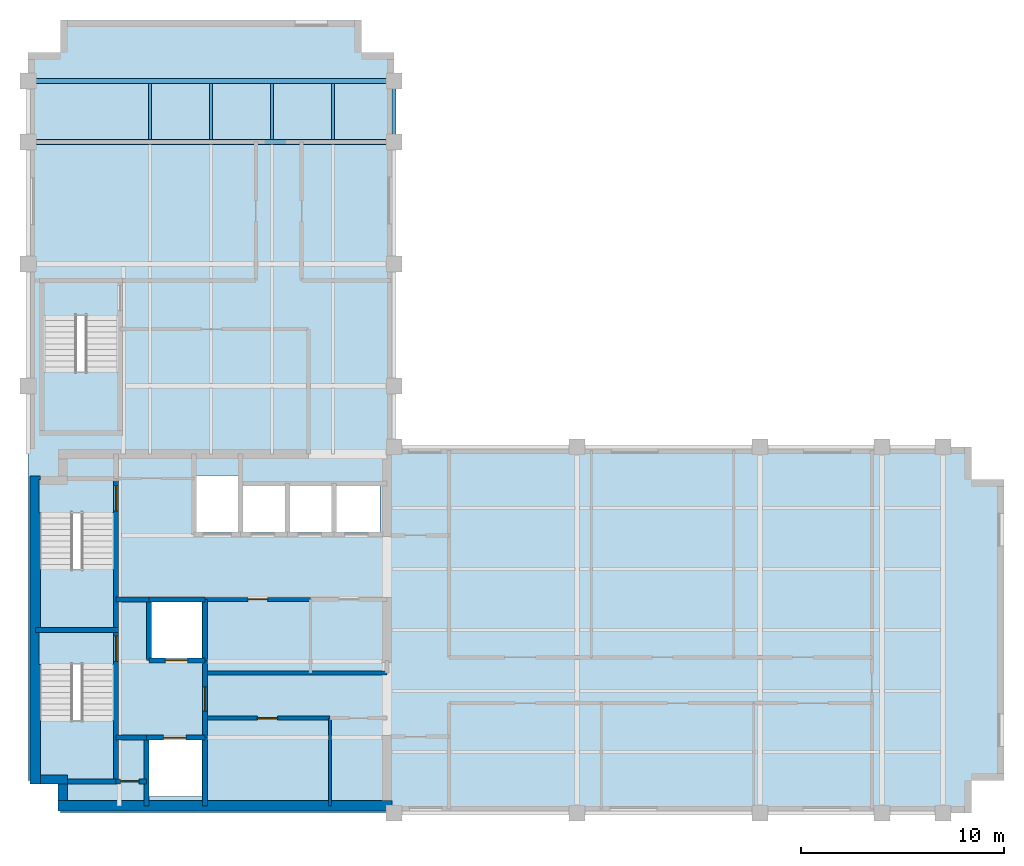
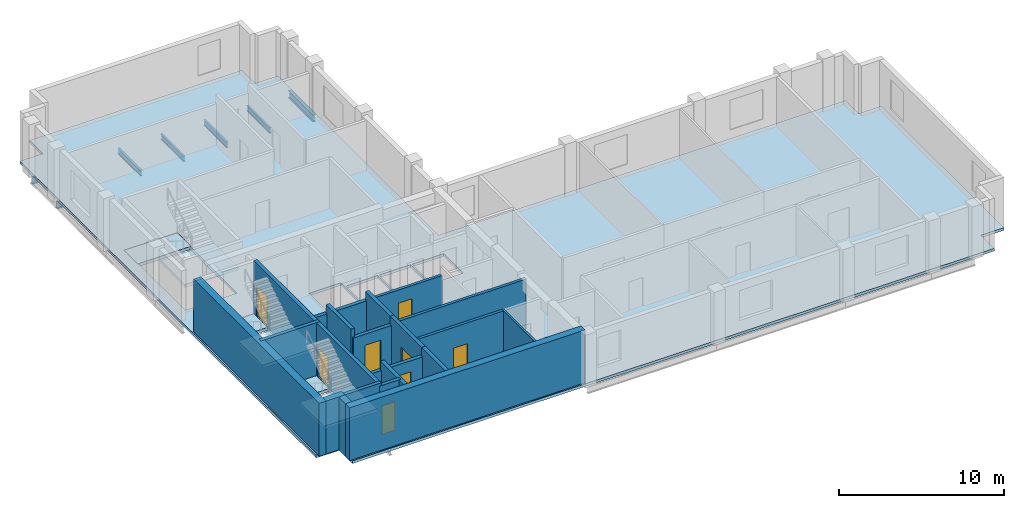
# One storey, part 2 of 6: 23 walls, 8 doors, 7 beams, 7 slabs, 8 openings, 3 elements without a shape of their own.
"""IFC4 building model written with IfcOpenShell, lengths in metres."""

from ifc_helpers import new_model, si_unit, direction, frame, frame_2d, origin, origin_2d, place, context, subcontext, project, spatial, polyline, rectangle, i_section, outline, extrude, material, layer, layer_set, material_profile, profile_set, type_object, element, fill, aggregate, save


model = new_model("IFC4")

# Units and contexts
model_context = context("Model", 3, precision=1e-05, world=origin(), true_north=direction((0.0, 1.0)))
body_context = subcontext(model_context, "Body", "Model", "MODEL_VIEW")
ifc_project = project(units=[si_unit("LENGTHUNIT", "METRE"), si_unit("AREAUNIT", "SQUARE_METRE"), si_unit("VOLUMEUNIT", "CUBIC_METRE"), si_unit("PLANEANGLEUNIT", "RADIAN"), si_unit("MASSUNIT", "GRAM", prefix="KILO")], contexts=[model_context])

# Site, building, storey
site_placement = place(None, origin())
site = spatial("IfcSite", under=ifc_project, at=site_placement, CompositionType="ELEMENT")
building_placement = place(site_placement, origin())
building = spatial("IfcBuilding", under=site, at=building_placement, Name="Mawjdan Bourse Tower", CompositionType="ELEMENT")
storey_placement = place(building_placement, frame((0.0, 0.0, 239.10009765625)))
storey = spatial("IfcBuildingStorey", under=building, at=storey_placement, Name="L58", CompositionType="ELEMENT", Elevation=239.10009765625)

# Beams
ifc_material_1 = material(Name="Structural Steel S355", Category="steel")
ifc_material_profile_1 = material_profile(ifc_material_1, i_section(OverallWidth=0.22998046875, OverallDepth=0.616943359375, WebThickness=0.01318359375, FlangeThickness=0.022216796875, FilletRadius=0.017822265625, at=origin_2d()), Name="W24X94")
ifc_profile_set_1 = profile_set([ifc_material_profile_1], Name="Structural Steel S355")
beam_type_1 = type_object("IfcBeamType", Name="GRD-W24X94", PredefinedType="BEAM", material=ifc_profile_set_1)
for number, where, z_axis, x_axis, name in (
    (1, (6.0, 36.0, -0.508544921875), (1.0, 0.0, 0.0), (0.0, 1.0, 0.0), "L58 North Wing Clear-Span Girder 041"),
    (2, (6.0, 39.0, -0.508544921875), (1.0, 0.0, 0.0), (0.0, 1.0, 0.0), "L58 North Wing Clear-Span Girder 042"),
):
    element("IfcBeam", number, at=place(storey_placement, frame(where, z_axis=z_axis, x_axis=x_axis)), inside=storey, type_object=beam_type_1, Name=name, PredefinedType="BEAM", context=body_context, shape_type="SweptSolid", body=[
        extrude(i_section(OverallWidth=0.22998046875, OverallDepth=0.616943359375, WebThickness=0.01318359375, FlangeThickness=0.022216796875, FilletRadius=0.017822265625, at=origin_2d()), origin(), (0.0, 0.0, 1.0), 18.0),
    ])
ifc_material_profile_2 = material_profile(ifc_material_1, i_section(OverallWidth=0.139892578125, OverallDepth=0.404052734375, WebThickness=0.007080078125, FlangeThickness=0.01123046875, FilletRadius=0.009033203125, at=origin_2d()), Name="W16X31")
ifc_profile_set_2 = profile_set([ifc_material_profile_2], Name="Structural Steel S355")
beam_type_2 = type_object("IfcBeamType", Name="JST-W16X31", PredefinedType="JOIST", material=ifc_profile_set_2)
for number, where, z_axis, x_axis, name in (
    (3, (12.0, 36.113037109375, -0.402099609375), (0.0, 1.0, 0.0), (-1.0, 0.0, 0.0), "L58 North Wing Composite Joist 054"),
    (4, (15.0, 36.113037109375, -0.402099609375), (0.0, 1.0, 0.0), (-1.0, 0.0, 0.0), "L58 North Wing Composite Joist 058"),
    (5, (18.0, 36.113037109375, -0.402099609375), (0.0, 1.0, 0.0), (-1.0, 0.0, 0.0), "L58 North Wing Composite Joist 062"),
    (6, (21.0, 36.113037109375, -0.402099609375), (0.0, 1.0, 0.0), (-1.0, 0.0, 0.0), "L58 North Wing Composite Joist 066"),
):
    element("IfcBeam", number, at=place(storey_placement, frame(where, z_axis=z_axis, x_axis=x_axis)), inside=storey, type_object=beam_type_2, Name=name, PredefinedType="JOIST", context=body_context, shape_type="SweptSolid", body=[
        extrude(i_section(OverallWidth=0.139892578125, OverallDepth=0.404052734375, WebThickness=0.007080078125, FlangeThickness=0.01123046875, FilletRadius=0.009033203125, at=origin_2d()), origin(), (0.0, 0.0, 1.0), 2.77392578125),
    ])
ifc_material_profile_3 = material_profile(ifc_material_1, i_section(OverallWidth=0.2099609375, OverallDepth=0.537109375, WebThickness=0.010986328125, FlangeThickness=0.017333984375, FilletRadius=0.013916015625, at=origin_2d()), Name="W21X68")
ifc_profile_set_3 = profile_set([ifc_material_profile_3], Name="Structural Steel S355")
beam_type_3 = type_object("IfcBeamType", Name="SPN-W21X68", PredefinedType="SPANDREL", material=ifc_profile_set_3)
beam_placement = place(storey_placement, frame((24.0, 36.0, -0.468505859375), z_axis=(0.0, 1.0, 0.0), x_axis=(-1.0, 0.0, 0.0)))
element("IfcBeam", 7, at=beam_placement, inside=storey, type_object=beam_type_3, Name="L58 North Wing Spandrel 050", PredefinedType="SPANDREL", context=body_context, shape_type="SweptSolid", body=[
    extrude(i_section(OverallWidth=0.2099609375, OverallDepth=0.537109375, WebThickness=0.010986328125, FlangeThickness=0.017333984375, FilletRadius=0.013916015625, at=origin_2d()), origin(), (0.0, 0.0, 1.0), 3.0),
])

# Stair, slabs
ifc_material_2 = material(Name="Concrete C50/60", Category="concrete")
stair_type = type_object("IfcStairType", Name="STR-CORE-1500", PredefinedType="HALF_TURN_STAIR", material=ifc_material_2)
stair_1_placement = place(storey_placement, origin())
stair_1 = element("IfcStair", 8, at=stair_1_placement, inside=storey, type_object=stair_type, Name="L58 Exit Stair 1 (Core South-West)", PredefinedType="HALF_TURN_STAIR")
ifc_layer_1 = layer(ifc_material_2, 0.22998046875)
ifc_layer_set_1 = layer_set([ifc_layer_1], Name="Concrete C50/60")
slab_type_1 = type_object("IfcSlabType", Name="SL-LND-230", PredefinedType="LANDING", material=ifc_layer_set_1)
slab_1_placement = place(storey_placement, frame((0.0, 0.0, -0.22998046875)))
slab_1 = element("IfcSlab", 9, at=slab_1_placement, type_object=slab_type_1, Name="ST1-L58 landing 1", PredefinedType="LANDING", context=body_context, shape_type="SweptSolid", body=[
    extrude(outline(polyline([(6.5400390625, 10.31005859375), (10.260009765625, 10.31005859375), (10.260009765625, 11.969970703125), (6.5400390625, 11.969970703125), (6.5400390625, 10.31005859375)])), origin(), (0.0, 0.0, 1.0), 0.22998046875),
])
slab_2_placement = place(storey_placement, frame((0.0, 0.0, 1.719970703125)))
slab_2 = element("IfcSlab", 10, at=slab_2_placement, type_object=slab_type_1, Name="ST1-L58 landing 2", PredefinedType="LANDING", context=body_context, shape_type="SweptSolid", body=[
    extrude(outline(polyline([(6.5400390625, 4.590087890625), (10.260009765625, 4.590087890625), (10.260009765625, 7.5400390625), (6.5400390625, 7.5400390625), (6.5400390625, 4.590087890625)])), origin(), (0.0, 0.0, 1.0), 0.22998046875),
])
aggregate(stair_1, [slab_1, slab_2])

stair_2_placement = place(storey_placement, origin())
stair_2 = element("IfcStair", 11, at=stair_2_placement, inside=storey, type_object=stair_type, Name="L58 Exit Stair 2 (Core North-West)", PredefinedType="HALF_TURN_STAIR")
slab_3_placement = place(storey_placement, frame((0.0, 0.0, -0.22998046875)))
slab_3 = element("IfcSlab", 12, at=slab_3_placement, type_object=slab_type_1, Name="ST2-L58 landing 1", PredefinedType="LANDING", context=body_context, shape_type="SweptSolid", body=[
    extrude(outline(polyline([(6.5400390625, 17.75), (10.260009765625, 17.75), (10.260009765625, 19.409912109375), (6.5400390625, 19.409912109375), (6.5400390625, 17.75)])), origin(), (0.0, 0.0, 1.0), 0.22998046875),
])
slab_4_placement = place(storey_placement, frame((0.0, 0.0, 1.719970703125)))
slab_4 = element("IfcSlab", 13, at=slab_4_placement, type_object=slab_type_1, Name="ST2-L58 landing 2", PredefinedType="LANDING", context=body_context, shape_type="SweptSolid", body=[
    extrude(outline(polyline([(6.5400390625, 12.030029296875), (10.260009765625, 12.030029296875), (10.260009765625, 14.97998046875), (6.5400390625, 14.97998046875), (6.5400390625, 12.030029296875)])), origin(), (0.0, 0.0, 1.0), 0.22998046875),
])
aggregate(stair_2, [slab_3, slab_4])

stair_3_placement = place(storey_placement, origin())
stair_3 = element("IfcStair", 14, at=stair_3_placement, inside=storey, type_object=stair_type, Name="L58 Exit Stair 3 (North Wing)", PredefinedType="HALF_TURN_STAIR")
slab_5_placement = place(storey_placement, frame((0.0, 0.0, -0.22998046875)))
slab_5 = element("IfcSlab", 15, at=slab_5_placement, type_object=slab_type_1, Name="ST3-L58 landing 1", PredefinedType="LANDING", context=body_context, shape_type="SweptSolid", body=[
    extrude(outline(polyline([(6.739990234375, 27.4599609375), (10.4599609375, 27.4599609375), (10.4599609375, 29.1201171875), (6.739990234375, 29.1201171875), (6.739990234375, 27.4599609375)])), origin(), (0.0, 0.0, 1.0), 0.22998046875),
])
slab_6_placement = place(storey_placement, frame((0.0, 0.0, 1.719970703125)))
slab_6 = element("IfcSlab", 16, at=slab_6_placement, type_object=slab_type_1, Name="ST3-L58 landing 2", PredefinedType="LANDING", context=body_context, shape_type="SweptSolid", body=[
    extrude(outline(polyline([(6.739990234375, 21.739990234375), (10.4599609375, 21.739990234375), (10.4599609375, 24.68994140625), (6.739990234375, 24.68994140625), (6.739990234375, 21.739990234375)])), origin(), (0.0, 0.0, 1.0), 0.22998046875),
])
aggregate(stair_3, [slab_5, slab_6])

# Slab
ifc_layer_2 = layer(ifc_material_2, 0.199951171875)
ifc_layer_set_2 = layer_set([ifc_layer_2], Name="Concrete C50/60")
slab_type_2 = type_object("IfcSlabType", Name="SL-OFC-200", PredefinedType="FLOOR", material=ifc_layer_set_2)
slab_7_placement = place(storey_placement, frame((0.0, 0.0, -0.2001953125)))
element("IfcSlab", 17, at=slab_7_placement, inside=storey, type_object=slab_type_2, Name="L58 Structural Floor Slab 1", PredefinedType="FLOOR", context=body_context, shape_type="SweptSolid", body=[
    extrude(outline(polyline([(7.60009765625, 3.0), (52.39990234375, 3.0), (52.39990234375, 4.60009765625), (54.0, 4.60009765625), (54.0, 19.39990234375), (52.39990234375, 19.39990234375), (52.39990234375, 21.0), (24.0, 21.0), (24.0, 40.39990234375), (22.39990234375, 40.39990234375), (22.39990234375, 42.0), (7.60009765625, 42.0), (7.60009765625, 40.39990234375), (6.0, 40.39990234375), (6.0, 4.60009765625), (7.60009765625, 4.60009765625), (7.60009765625, 3.0)]), holes=[polyline([(6.5400390625, 11.969970703125), (10.260009765625, 11.969970703125), (10.260009765625, 10.31005859375), (10.199951171875, 10.31005859375), (10.199951171875, 4.64990234375), (6.60009765625, 4.64990234375), (6.60009765625, 10.31005859375), (6.5400390625, 10.31005859375), (6.5400390625, 11.969970703125)]), polyline([(6.60009765625, 12.090087890625), (6.60009765625, 17.75), (6.5400390625, 17.75), (6.5400390625, 19.409912109375), (10.260009765625, 19.409912109375), (10.260009765625, 17.75), (10.199951171875, 17.75), (10.199951171875, 12.090087890625), (6.60009765625, 12.090087890625)]), polyline([(10.4599609375, 29.1201171875), (10.4599609375, 27.4599609375), (10.39990234375, 27.4599609375), (10.39990234375, 21.800048828125), (6.800048828125, 21.800048828125), (6.800048828125, 27.4599609375), (6.739990234375, 27.4599609375), (6.739990234375, 29.1201171875), (10.4599609375, 29.1201171875)]), polyline([(14.550048828125, 3.800048828125), (11.949951171875, 3.800048828125), (11.949951171875, 6.60009765625), (14.550048828125, 6.60009765625), (14.550048828125, 3.800048828125)]), polyline([(12.050048828125, 10.60009765625), (12.050048828125, 13.39990234375), (14.550048828125, 13.39990234375), (14.550048828125, 10.60009765625), (12.050048828125, 10.60009765625)]), polyline([(16.5, 16.800048828125), (16.5, 19.14990234375), (18.699951171875, 19.14990234375), (18.699951171875, 16.800048828125), (16.5, 16.800048828125)]), polyline([(21.0, 16.800048828125), (18.800048828125, 16.800048828125), (18.800048828125, 19.14990234375), (21.0, 19.14990234375), (21.0, 16.800048828125)]), polyline([(21.10009765625, 16.800048828125), (21.10009765625, 19.14990234375), (23.300048828125, 19.14990234375), (23.300048828125, 16.800048828125), (21.10009765625, 16.800048828125)]), polyline([(14.199951171875, 16.800048828125), (14.199951171875, 19.60009765625), (16.39990234375, 19.60009765625), (16.39990234375, 16.800048828125), (14.199951171875, 16.800048828125)])]), origin(), (0.0, 0.0, 1.0), 0.2001953125),
])

# Wall, opening, door
ifc_material_3 = material(Name="Gypsum Fireboard Assembly")
ifc_layer_3 = layer(ifc_material_3, 0.199951171875)
ifc_layer_set_3 = layer_set([ifc_layer_3], Name="Gypsum Fireboard Assembly")
wall_type_1 = type_object("IfcWallType", Name="WL-CMP-200", PredefinedType="PARTITIONING", material=ifc_layer_set_3)
wall_1_placement = place(storey_placement, frame((14.699951171875, 7.659912109375, 0.0), z_axis=(0.0, 0.0, 1.0), x_axis=(1.0, 0.0, 0.0)))
wall_1 = element("IfcWall", 18, at=wall_1_placement, inside=storey, type_object=wall_type_1, Name="L58 Staff Wellness Lounge North Wall", PredefinedType="PARTITIONING", context=body_context, shape_type="SweptSolid", body=[
    extrude(rectangle(XDim=6.150146484375, YDim=0.199951171875, at=frame_2d((3.0751953125, 0.0))), origin(), (0.0, 0.0, 1.0), 3.68994140625),
])
opening_1_placement = place(wall_1_placement, frame((2.574951171875, 0.0, 0.0)))
opening_1 = element("IfcOpeningElement", 19, at=opening_1_placement, cuts=wall_1, Name="Opening D-L58-13", PredefinedType="OPENING", context=body_context, shape_type="SweptSolid", body=[
    extrude(rectangle(XDim=1.0, YDim=2.14990234375, at=frame_2d((0.5, 1.074951171875))), frame((0.0, 0.10986328125, 0.0), z_axis=(0.0, -1.0, 0.0), x_axis=(1.0, 0.0, 0.0)), (0.0, 0.0, 1.0), 0.219970703125),
])
ifc_material_4 = material(Name="Hardwood Acoustic Leaf", Category="wood")
door_type_1 = type_object("IfcDoorType", Name="DR-OFC-1000", OperationType="NOTDEFINED", PredefinedType="DOOR", material=ifc_material_4)
door_1_placement = place(opening_1_placement, origin())
door_1 = element("IfcDoor", 20, at=door_1_placement, inside=storey, type_object=door_type_1, Name="L58 Staff Wellness Lounge Door D-L58-13", OperationType="SINGLE_SWING_LEFT", OverallHeight=2.14990234375, OverallWidth=1.0, PredefinedType="DOOR", context=body_context, shape_type="SweptSolid", body=[
    extrude(rectangle(XDim=1.0, YDim=2.14990234375, at=frame_2d((0.5, 1.074951171875))), frame((0.0, 0.02490234375, 0.0), z_axis=(0.0, -1.0, 0.0), x_axis=(1.0, 0.0, 0.0)), (0.0, 0.0, 1.0), 0.050048828125),
])
fill(opening_1, door_1)

# Wall
wall_2_placement = place(storey_placement, frame((14.824951171875, 9.8798828125, 0.0), z_axis=(0.0, 0.0, 1.0), x_axis=(1.0, 0.0, 0.0)))
element("IfcWall", 21, at=wall_2_placement, inside=storey, type_object=wall_type_1, Name="L58 Core Restroom Suite South Wall", PredefinedType="PARTITIONING", context=body_context, shape_type="SweptSolid", body=[
    extrude(rectangle(XDim=8.824951171875, YDim=0.199951171875, at=frame_2d((4.41259765625, 0.0))), origin(), (0.0, 0.0, 1.0), 3.68994140625),
])

# Wall, opening, door
wall_3_placement = place(storey_placement, frame((14.699951171875, 13.5, 0.0), z_axis=(0.0, 0.0, 1.0), x_axis=(1.0, 0.0, 0.0)))
wall_3 = element("IfcWall", 22, at=wall_3_placement, inside=storey, type_object=wall_type_1, Name="L58 Accessible WC North Wall", PredefinedType="PARTITIONING", context=body_context, shape_type="SweptSolid", body=[
    extrude(rectangle(XDim=5.199951171875, YDim=0.199951171875, at=frame_2d((2.60009765625, 0.0))), origin(), (0.0, 0.0, 1.0), 3.072998046875),
])
opening_2_placement = place(wall_3_placement, frame((2.125, 0.0, 0.0)))
opening_2 = element("IfcOpeningElement", 23, at=opening_2_placement, cuts=wall_3, Name="Opening D-L58-15", PredefinedType="OPENING", context=body_context, shape_type="SweptSolid", body=[
    extrude(rectangle(XDim=0.949951171875, YDim=2.10009765625, at=frame_2d((0.47509765625, 1.050048828125))), frame((0.0, 0.10986328125, 0.0), z_axis=(0.0, -1.0, 0.0), x_axis=(1.0, 0.0, 0.0)), (0.0, 0.0, 1.0), 0.219970703125),
])
ifc_material_5 = material(Name="Moisture-Resistant Laminate Timber", Category="wood")
door_type_2 = type_object("IfcDoorType", Name="DR-WET-0950", OperationType="NOTDEFINED", PredefinedType="DOOR", material=ifc_material_5)
door_2_placement = place(opening_2_placement, origin())
door_2 = element("IfcDoor", 24, at=door_2_placement, inside=storey, type_object=door_type_2, Name="L58 Accessible WC Door D-L58-15", OperationType="SINGLE_SWING_LEFT", OverallHeight=2.10009765625, OverallWidth=0.949951171875, PredefinedType="DOOR", context=body_context, shape_type="SweptSolid", body=[
    extrude(rectangle(XDim=0.949951171875, YDim=2.10009765625, at=frame_2d((0.47509765625, 1.050048828125))), frame((0.0, 0.02490234375, 0.0), z_axis=(0.0, -1.0, 0.0), x_axis=(1.0, 0.0, 0.0)), (0.0, 0.0, 1.0), 0.050048828125),
])
fill(opening_2, door_2)

# Walls
ifc_material_6 = material(Name="Concrete C60/75", Category="concrete")
ifc_layer_4 = layer(ifc_material_6, 0.449951171875)
ifc_layer_set_4 = layer_set([ifc_layer_4], Name="Concrete C60/75")
wall_type_2 = type_object("IfcWallType", Name="WL-CORE-450", PredefinedType="SHEAR", material=ifc_layer_set_4)
wall_4_placement = place(storey_placement, frame((6.60009765625, 4.64990234375, 0.0), z_axis=(0.0, 0.0, 1.0), x_axis=(1.0, 0.0, 0.0)))
element("IfcWall", 25, at=wall_4_placement, inside=storey, type_object=wall_type_2, Name="L58 Rear Core Shear Wall SW-X", PredefinedType="SHEAR", context=body_context, shape_type="SweptSolid", body=[
    extrude(rectangle(XDim=1.324951171875, YDim=0.449951171875, at=frame_2d((0.66259765625, 0.0))), origin(), (0.0, 0.0, 1.0), 3.89990234375),
])
wall_5_placement = place(storey_placement, frame((7.699951171875, 3.60009765625, 0.0), z_axis=(0.0, 0.0, 1.0), x_axis=(0.0, 1.0, 0.0)))
element("IfcWall", 26, at=wall_5_placement, inside=storey, type_object=wall_type_2, Name="L58 Rear Core Shear Wall SW-Y", PredefinedType="SHEAR", context=body_context, shape_type="SweptSolid", body=[
    extrude(rectangle(XDim=0.824951171875, YDim=0.449951171875, at=frame_2d((0.41259765625, 0.0))), origin(), (0.0, 0.0, 1.0), 3.89990234375),
])
ifc_layer_5 = layer(ifc_material_6, 0.5)
ifc_layer_set_5 = layer_set([ifc_layer_5], Name="Concrete C60/75")
wall_type_3 = type_object("IfcWallType", Name="WL-CORE-500", PredefinedType="SHEAR", material=ifc_layer_set_5)
wall_6_placement = place(storey_placement, frame((7.47509765625, 3.35009765625, 0.0), z_axis=(0.0, 0.0, 1.0), x_axis=(1.0, 0.0, 0.0)))
element("IfcWall", 27, at=wall_6_placement, inside=storey, type_object=wall_type_3, Name="L58 Rear Core Shear Wall S", PredefinedType="SHEAR", context=body_context, shape_type="SweptSolid", body=[
    extrude(rectangle(XDim=16.4248046875, YDim=0.5, at=frame_2d((8.21240234375, 0.0))), origin(), (0.0, 0.0, 1.0), 3.89990234375),
])
wall_7_placement = place(storey_placement, frame((6.35009765625, 4.425048828125, 0.0), z_axis=(0.0, 0.0, 1.0), x_axis=(0.0, 1.0, 0.0)))
element("IfcWall", 28, at=wall_7_placement, inside=storey, type_object=wall_type_3, Name="L58 Rear Core Shear Wall W", PredefinedType="SHEAR", context=body_context, shape_type="SweptSolid", body=[
    extrude(rectangle(XDim=15.14990234375, YDim=0.5, at=frame_2d((7.574951171875, 0.0))), origin(), (0.0, 0.0, 1.0), 3.89990234375),
])
ifc_material_7 = material(Name="Gypsum Acoustic Partition")
ifc_layer_6 = layer(ifc_material_7, 0.14990234375)
ifc_layer_set_6 = layer_set([ifc_layer_6], Name="Gypsum Acoustic Partition")
wall_type_4 = type_object("IfcWallType", Name="WL-PRT-150", PredefinedType="PARTITIONING", material=ifc_layer_set_6)
wall_8_placement = place(storey_placement, frame((20.85009765625, 3.35009765625, 0.0), z_axis=(0.0, 0.0, 1.0), x_axis=(0.0, 1.0, 0.0)))
element("IfcWall", 29, at=wall_8_placement, inside=storey, type_object=wall_type_4, Name="L58 Telemetry Control Room Core Split Wall", PredefinedType="PARTITIONING", context=body_context, shape_type="SweptSolid", body=[
    extrude(rectangle(XDim=4.309814453125, YDim=0.14990234375, at=frame_2d((2.15478515625, 0.0))), origin(), (0.0, 0.0, 1.0), 3.68994140625),
])

# Wall, opening, door
ifc_layer_7 = layer(ifc_material_2, 0.25)
ifc_layer_set_7 = layer_set([ifc_layer_7], Name="Concrete C50/60")
wall_type_5 = type_object("IfcWallType", Name="WL-SHFT-250", PredefinedType="PARTITIONING", material=ifc_layer_set_7)
wall_9_placement = place(storey_placement, frame((10.330078125, 4.550048828125, 0.0), z_axis=(0.0, 0.0, 1.0), x_axis=(1.0, 0.0, 0.0)))
wall_9 = element("IfcWall", 30, at=wall_9_placement, inside=storey, type_object=wall_type_5, Name="L58 SW Riser North Wall", PredefinedType="PARTITIONING", context=body_context, shape_type="SweptSolid", body=[
    extrude(rectangle(XDim=1.489990234375, YDim=0.25, at=frame_2d((0.7451171875, 0.0))), origin(), (0.0, 0.0, 1.0), 3.68994140625),
])
opening_3_placement = place(wall_9_placement, frame((0.219970703125, 0.0, 0.0)))
opening_3 = element("IfcOpeningElement", 31, at=opening_3_placement, cuts=wall_9, Name="Opening RD-L58-03", PredefinedType="OPENING", context=body_context, shape_type="SweptSolid", body=[
    extrude(rectangle(XDim=0.89990234375, YDim=2.10009765625, at=frame_2d((0.449951171875, 1.050048828125))), frame((0.0, 0.135009765625, 0.0), z_axis=(0.0, -1.0, 0.0), x_axis=(1.0, 0.0, 0.0)), (0.0, 0.0, 1.0), 0.27001953125),
])
ifc_material_8 = material(Name="Fire-Rated Steel Access Leaf", Category="steel")
door_type_3 = type_object("IfcDoorType", Name="FD-RSR-0900", OperationType="NOTDEFINED", PredefinedType="TRAPDOOR", material=ifc_material_8)
door_3_placement = place(opening_3_placement, origin())
door_3 = element("IfcDoor", 32, at=door_3_placement, inside=storey, type_object=door_type_3, Name="L58 Electrical Riser Access Door RD-L58-03", OperationType="SINGLE_SWING_LEFT", OverallHeight=2.10009765625, OverallWidth=0.89990234375, PredefinedType="TRAPDOOR", context=body_context, shape_type="SweptSolid", body=[
    extrude(rectangle(XDim=0.89990234375, YDim=2.10009765625, at=frame_2d((0.449951171875, 1.050048828125))), frame((0.0, 0.02490234375, 0.0), z_axis=(0.0, -1.0, 0.0), x_axis=(1.0, 0.0, 0.0)), (0.0, 0.0, 1.0), 0.050048828125),
])
fill(opening_3, door_3)

# Wall
wall_10_placement = place(storey_placement, frame((11.820068359375, 3.35009765625, 0.0), z_axis=(0.0, 0.0, 1.0), x_axis=(0.0, 1.0, 0.0)))
element("IfcWall", 33, at=wall_10_placement, inside=storey, type_object=wall_type_5, Name="L58 SW Riser & FFL01 West Wall", PredefinedType="PARTITIONING", context=body_context, shape_type="SweptSolid", body=[
    extrude(rectangle(XDim=3.349853515625, YDim=0.25, at=frame_2d((1.6748046875, 0.0))), origin(), (0.0, 0.0, 1.0), 3.68994140625),
])

# Wall, opening, door
wall_11_placement = place(storey_placement, frame((11.820068359375, 6.699951171875, 0.0), z_axis=(0.0, 0.0, 1.0), x_axis=(1.0, 0.0, 0.0)))
wall_11 = element("IfcWall", 34, at=wall_11_placement, inside=storey, type_object=wall_type_5, Name="L58 FFL-01 Front Shaft Wall", PredefinedType="PARTITIONING", context=body_context, shape_type="SweptSolid", body=[
    extrude(rectangle(XDim=2.8798828125, YDim=0.25, at=frame_2d((1.43994140625, 0.0))), origin(), (0.0, 0.0, 1.0), 3.072998046875),
])
opening_4_placement = place(wall_11_placement, frame((0.85009765625, 0.0, 0.0)))
opening_4 = element("IfcOpeningElement", 35, at=opening_4_placement, cuts=wall_11, Name="Opening LD-L58-05", PredefinedType="OPENING", context=body_context, shape_type="SweptSolid", body=[
    extrude(rectangle(XDim=1.10009765625, YDim=2.25, at=frame_2d((0.550048828125, 1.125))), frame((0.0, 0.135009765625, 0.0), z_axis=(0.0, -1.0, 0.0), x_axis=(1.0, 0.0, 0.0)), (0.0, 0.0, 1.0), 0.27001953125),
])
ifc_material_9 = material(Name="Brushed Stainless Steel", Category="steel")
door_type_4 = type_object("IfcDoorType", Name="LD-FFL-1100", OperationType="DOUBLE_DOOR_SLIDING", PredefinedType="DOOR", material=ifc_material_9)
door_4_placement = place(opening_4_placement, origin())
door_4 = element("IfcDoor", 36, at=door_4_placement, inside=storey, type_object=door_type_4, Name="L58 Firefighting Lift FFL-01 Landing Door LD-L58-05", OperationType="DOUBLE_DOOR_SLIDING", OverallHeight=2.25, OverallWidth=1.10009765625, PredefinedType="DOOR", context=body_context, shape_type="SweptSolid", body=[
    extrude(rectangle(XDim=1.10009765625, YDim=2.25, at=frame_2d((0.550048828125, 1.125))), frame((0.0, 0.02490234375, 0.0), z_axis=(0.0, -1.0, 0.0), x_axis=(1.0, 0.0, 0.0)), (0.0, 0.0, 1.0), 0.050048828125),
])
fill(opening_4, door_4)

# Wall
wall_12_placement = place(storey_placement, frame((14.699951171875, 3.35009765625, 0.0), z_axis=(0.0, 0.0, 1.0), x_axis=(0.0, 1.0, 0.0)))
element("IfcWall", 37, at=wall_12_placement, inside=storey, type_object=wall_type_5, Name="L58 FFL-01 East Shaft Wall", PredefinedType="PARTITIONING", context=body_context, shape_type="SweptSolid", body=[
    extrude(rectangle(XDim=3.349853515625, YDim=0.25, at=frame_2d((1.6748046875, 0.0))), origin(), (0.0, 0.0, 1.0), 3.68994140625),
])

# Wall, opening, door
wall_13_placement = place(storey_placement, frame((11.949951171875, 10.5, 0.0), z_axis=(0.0, 0.0, 1.0), x_axis=(1.0, 0.0, 0.0)))
wall_13 = element("IfcWall", 38, at=wall_13_placement, inside=storey, type_object=wall_type_5, Name="L58 FFL-02 Front Shaft Wall", PredefinedType="PARTITIONING", context=body_context, shape_type="SweptSolid", body=[
    extrude(rectangle(XDim=2.75, YDim=0.25, at=frame_2d((1.375, 0.0))), origin(), (0.0, 0.0, 1.0), 3.072998046875),
])
opening_5_placement = place(wall_13_placement, frame((0.800048828125, 0.0, 0.0)))
opening_5 = element("IfcOpeningElement", 39, at=opening_5_placement, cuts=wall_13, Name="Opening LD-L58-06", PredefinedType="OPENING", context=body_context, shape_type="SweptSolid", body=[
    extrude(rectangle(XDim=1.10009765625, YDim=2.25, at=frame_2d((0.550048828125, 1.125))), frame((0.0, 0.135009765625, 0.0), z_axis=(0.0, -1.0, 0.0), x_axis=(1.0, 0.0, 0.0)), (0.0, 0.0, 1.0), 0.27001953125),
])
door_5_placement = place(opening_5_placement, origin())
door_5 = element("IfcDoor", 40, at=door_5_placement, inside=storey, type_object=door_type_4, Name="L58 Firefighting Lift FFL-02 Landing Door LD-L58-06", OperationType="DOUBLE_DOOR_SLIDING", OverallHeight=2.25, OverallWidth=1.10009765625, PredefinedType="DOOR", context=body_context, shape_type="SweptSolid", body=[
    extrude(rectangle(XDim=1.10009765625, YDim=2.25, at=frame_2d((0.550048828125, 1.125))), frame((0.0, 0.02490234375, 0.0), z_axis=(0.0, -1.0, 0.0), x_axis=(1.0, 0.0, 0.0)), (0.0, 0.0, 1.0), 0.050048828125),
])
fill(opening_5, door_5)

# Walls
wall_14_placement = place(storey_placement, frame((11.949951171875, 10.5, 0.0), z_axis=(0.0, 0.0, 1.0), x_axis=(0.0, 1.0, 0.0)))
element("IfcWall", 41, at=wall_14_placement, inside=storey, type_object=wall_type_5, Name="L58 FFL-02 West Shaft Wall", PredefinedType="PARTITIONING", context=body_context, shape_type="SweptSolid", body=[
    extrude(rectangle(XDim=3.0, YDim=0.25, at=frame_2d((1.5, 0.0))), origin(), (0.0, 0.0, 1.0), 3.68994140625),
])
wall_15_placement = place(storey_placement, frame((11.949951171875, 13.5, 0.0), z_axis=(0.0, 0.0, 1.0), x_axis=(1.0, 0.0, 0.0)))
element("IfcWall", 42, at=wall_15_placement, inside=storey, type_object=wall_type_5, Name="L58 FFL-02 North Shaft Wall", PredefinedType="PARTITIONING", context=body_context, shape_type="SweptSolid", body=[
    extrude(rectangle(XDim=2.75, YDim=0.25, at=frame_2d((1.375, 0.0))), origin(), (0.0, 0.0, 1.0), 3.072998046875),
])
wall_16_placement = place(storey_placement, frame((14.699951171875, 10.5, 0.0), z_axis=(0.0, 0.0, 1.0), x_axis=(0.0, 1.0, 0.0)))
element("IfcWall", 43, at=wall_16_placement, inside=storey, type_object=wall_type_5, Name="L58 FFL-02 East Shaft Wall", PredefinedType="PARTITIONING", context=body_context, shape_type="SweptSolid", body=[
    extrude(rectangle(XDim=3.0, YDim=0.25, at=frame_2d((1.5, 0.0))), origin(), (0.0, 0.0, 1.0), 3.68994140625),
])

# Wall, opening, door
wall_17_placement = place(storey_placement, frame((14.699951171875, 6.699951171875, 0.0), z_axis=(0.0, 0.0, 1.0), x_axis=(0.0, 1.0, 0.0)))
wall_17 = element("IfcWall", 44, at=wall_17_placement, inside=storey, type_object=wall_type_5, Name="L58 Firefighting Lobby East Compartment Wall", PredefinedType="PARTITIONING", context=body_context, shape_type="SweptSolid", body=[
    extrude(rectangle(XDim=3.800048828125, YDim=0.25, at=frame_2d((1.89990234375, 0.0))), origin(), (0.0, 0.0, 1.0), 3.68994140625),
])
opening_6_placement = place(wall_17_placement, frame((1.300048828125, 0.0, 0.0)))
opening_6 = element("IfcOpeningElement", 45, at=opening_6_placement, cuts=wall_17, Name="Opening FD-L58-07", PredefinedType="OPENING", context=body_context, shape_type="SweptSolid", body=[
    extrude(rectangle(XDim=1.199951171875, YDim=2.199951171875, at=frame_2d((0.60009765625, 1.10009765625))), frame((0.0, 0.135009765625, 0.0), z_axis=(0.0, -1.0, 0.0), x_axis=(1.0, 0.0, 0.0)), (0.0, 0.0, 1.0), 0.27001953125),
])
ifc_material_10 = material(Name="Fire-Rated Steel Leaf", Category="steel")
door_type_5 = type_object("IfcDoorType", Name="FD-FFL-1200", OperationType="NOTDEFINED", PredefinedType="DOOR", material=ifc_material_10)
door_6_placement = place(opening_6_placement, origin())
door_6 = element("IfcDoor", 46, at=door_6_placement, inside=storey, type_object=door_type_5, Name="L58 Firefighting Lobby East Smoke Door FD-L58-07", OperationType="SINGLE_SWING_LEFT", OverallHeight=2.199951171875, OverallWidth=1.199951171875, PredefinedType="DOOR", context=body_context, shape_type="SweptSolid", body=[
    extrude(rectangle(XDim=1.199951171875, YDim=2.199951171875, at=frame_2d((0.60009765625, 1.10009765625))), frame((0.0, 0.02490234375, 0.0), z_axis=(0.0, -1.0, 0.0), x_axis=(1.0, 0.0, 0.0)), (0.0, 0.0, 1.0), 0.050048828125),
])
fill(opening_6, door_6)

# Walls
wall_18_placement = place(storey_placement, frame((10.330078125, 13.5, 0.0), z_axis=(0.0, 0.0, 1.0), x_axis=(1.0, 0.0, 0.0)))
element("IfcWall", 47, at=wall_18_placement, inside=storey, type_object=wall_type_5, Name="L58 Firefighting Lobby North Compartment Wall", PredefinedType="PARTITIONING", context=body_context, shape_type="SweptSolid", body=[
    extrude(rectangle(XDim=1.619873046875, YDim=0.25, at=frame_2d((0.81005859375, 0.0))), origin(), (0.0, 0.0, 1.0), 3.072998046875),
])
wall_19_placement = place(storey_placement, frame((10.330078125, 6.699951171875, 0.0), z_axis=(0.0, 0.0, 1.0), x_axis=(1.0, 0.0, 0.0)))
element("IfcWall", 48, at=wall_19_placement, inside=storey, type_object=wall_type_5, Name="L58 Firefighting Lobby South Closure Wall", PredefinedType="PARTITIONING", context=body_context, shape_type="SweptSolid", body=[
    extrude(rectangle(XDim=1.489990234375, YDim=0.25, at=frame_2d((0.7451171875, 0.0))), origin(), (0.0, 0.0, 1.0), 3.072998046875),
])
ifc_layer_8 = layer(ifc_material_2, 0.25)
ifc_layer_set_8 = layer_set([ifc_layer_8], Name="Concrete C50/60")
wall_type_6 = type_object("IfcWallType", Name="WL-STRW-250", PredefinedType="SHEAR", material=ifc_layer_set_8)
wall_20_placement = place(storey_placement, frame((6.35009765625, 12.0, 0.0), z_axis=(0.0, 0.0, 1.0), x_axis=(1.0, 0.0, 0.0)))
element("IfcWall", 49, at=wall_20_placement, inside=storey, type_object=wall_type_6, Name="L58 Stairwell Dividing Shaft Wall", PredefinedType="SHEAR", context=body_context, shape_type="SweptSolid", body=[
    extrude(rectangle(XDim=4.10498046875, YDim=0.25, at=frame_2d((2.052490234375, 0.0))), origin(), (0.0, 0.0, 1.0), 3.89990234375),
])
wall_21_placement = place(storey_placement, frame((7.699951171875, 4.550048828125, 0.0), z_axis=(0.0, 0.0, 1.0), x_axis=(1.0, 0.0, 0.0)))
element("IfcWall", 50, at=wall_21_placement, inside=storey, type_object=wall_type_6, Name="L58 Stairwell ST1 South Shaft Wall", PredefinedType="SHEAR", context=body_context, shape_type="SweptSolid", body=[
    extrude(rectangle(XDim=2.755126953125, YDim=0.25, at=frame_2d((1.37744140625, 0.0))), origin(), (0.0, 0.0, 1.0), 3.89990234375),
])

# Wall, opening, door
wall_22_placement = place(storey_placement, frame((10.330078125, 4.550048828125, 0.0), z_axis=(0.0, 0.0, 1.0), x_axis=(0.0, 1.0, 0.0)))
wall_22 = element("IfcWall", 51, at=wall_22_placement, inside=storey, type_object=wall_type_6, Name="L58 Stairwell ST1 East Enclosure Wall", PredefinedType="SHEAR", context=body_context, shape_type="SweptSolid", body=[
    extrude(rectangle(XDim=7.449951171875, YDim=0.25, at=frame_2d((3.72509765625, 0.0))), origin(), (0.0, 0.0, 1.0), 3.89990234375),
])
opening_7_placement = place(wall_22_placement, frame((5.89990234375, 0.0, 0.0)))
opening_7 = element("IfcOpeningElement", 52, at=opening_7_placement, cuts=wall_22, Name="Opening SD-L58-01", PredefinedType="OPENING", context=body_context, shape_type="SweptSolid", body=[
    extrude(rectangle(XDim=1.25, YDim=2.199951171875, at=frame_2d((0.625, 1.10009765625))), frame((0.0, 0.135009765625, 0.0), z_axis=(0.0, -1.0, 0.0), x_axis=(1.0, 0.0, 0.0)), (0.0, 0.0, 1.0), 0.27001953125),
])
door_type_6 = type_object("IfcDoorType", Name="FD-ST-1250", OperationType="NOTDEFINED", PredefinedType="DOOR", material=ifc_material_10)
door_7_placement = place(opening_7_placement, origin())
door_7 = element("IfcDoor", 53, at=door_7_placement, inside=storey, type_object=door_type_6, Name="L58 Exit Stair ST1 Fire Door SD-L58-01", OperationType="SINGLE_SWING_LEFT", OverallHeight=2.199951171875, OverallWidth=1.25, PredefinedType="DOOR", context=body_context, shape_type="SweptSolid", body=[
    extrude(rectangle(XDim=1.25, YDim=2.199951171875, at=frame_2d((0.625, 1.10009765625))), frame((0.0, 0.02490234375, 0.0), z_axis=(0.0, -1.0, 0.0), x_axis=(1.0, 0.0, 0.0)), (0.0, 0.0, 1.0), 0.050048828125),
])
fill(opening_7, door_7)

wall_23_placement = place(storey_placement, frame((10.330078125, 12.0, 0.0), z_axis=(0.0, 0.0, 1.0), x_axis=(0.0, 1.0, 0.0)))
wall_23 = element("IfcWall", 54, at=wall_23_placement, inside=storey, type_object=wall_type_6, Name="L58 Stairwell ST2 East Enclosure Wall", PredefinedType="SHEAR", context=body_context, shape_type="SweptSolid", body=[
    extrude(rectangle(XDim=7.449951171875, YDim=0.25, at=frame_2d((3.72509765625, 0.0))), origin(), (0.0, 0.0, 1.0), 3.89990234375),
])
opening_8_placement = place(wall_23_placement, frame((5.85009765625, 0.0, 0.0)))
opening_8 = element("IfcOpeningElement", 55, at=opening_8_placement, cuts=wall_23, Name="Opening SD-L58-02", PredefinedType="OPENING", context=body_context, shape_type="SweptSolid", body=[
    extrude(rectangle(XDim=1.25, YDim=2.199951171875, at=frame_2d((0.625, 1.10009765625))), frame((0.0, 0.135009765625, 0.0), z_axis=(0.0, -1.0, 0.0), x_axis=(1.0, 0.0, 0.0)), (0.0, 0.0, 1.0), 0.27001953125),
])
door_8_placement = place(opening_8_placement, origin())
door_8 = element("IfcDoor", 56, at=door_8_placement, inside=storey, type_object=door_type_6, Name="L58 Exit Stair ST2 Fire Door SD-L58-02", OperationType="SINGLE_SWING_RIGHT", OverallHeight=2.199951171875, OverallWidth=1.25, PredefinedType="DOOR", context=body_context, shape_type="SweptSolid", body=[
    extrude(rectangle(XDim=1.25, YDim=2.199951171875, at=frame_2d((0.625, 1.10009765625))), frame((0.0, 0.02490234375, 0.0), z_axis=(0.0, -1.0, 0.0), x_axis=(1.0, 0.0, 0.0)), (0.0, 0.0, 1.0), 0.050048828125),
])
fill(opening_8, door_8)

save(model, "model.ifc")
